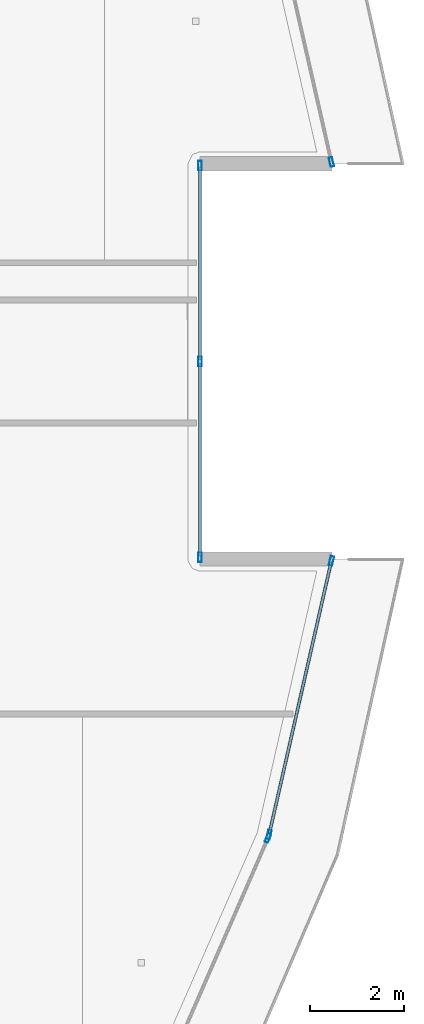
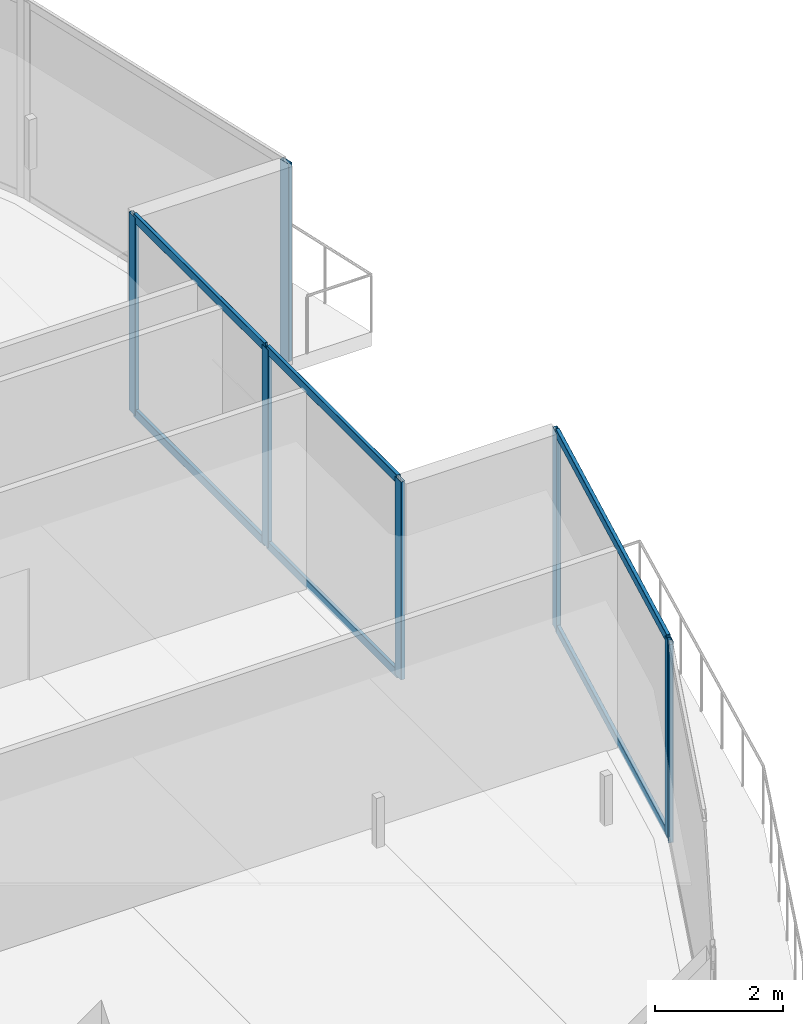
# One storey, part 14 of 36: 13 members, 4 elements without a shape of their own.
"""IFC4 building model written with IfcOpenShell, lengths in metres."""

from ifc_helpers import new_model, si_unit, direction, frame, origin, origin_2d, place, context, subcontext, project, spatial, hollow_rectangle, extrude, material, layer, layer_set, material_profile, profile_set, type_object, element, aggregate, save


model = new_model("IFC4")

# Units and contexts
model_context = context("Model", 3, precision=1e-05, world=origin(), true_north=direction((0.0, 1.0)))
body_context = subcontext(model_context, "Body", "Model", "MODEL_VIEW")
ifc_project = project(units=[si_unit("LENGTHUNIT", "METRE"), si_unit("AREAUNIT", "SQUARE_METRE"), si_unit("VOLUMEUNIT", "CUBIC_METRE"), si_unit("PLANEANGLEUNIT", "RADIAN"), si_unit("MASSUNIT", "GRAM", prefix="KILO")], contexts=[model_context])

# Site, building, storey
site_placement = place(None, origin())
site = spatial("IfcSite", under=ifc_project, at=site_placement, CompositionType="ELEMENT")
building_placement = place(site_placement, origin())
building = spatial("IfcBuilding", under=site, at=building_placement, Name="Qorvath Tower", CompositionType="ELEMENT")
storey_placement = place(building_placement, frame((0.0, 0.0, 229.35009765625)))
storey = spatial("IfcBuildingStorey", under=building, at=storey_placement, Name="L53", CompositionType="ELEMENT", Elevation=229.35009765625)

# Curtain wall, member
ifc_material_1 = material(Name="Anodised aluminium and triple low-E glass", Category="aluminium")
ifc_layer = layer(ifc_material_1, 0.179931640625)
ifc_layer_set = layer_set([ifc_layer], Name="CW-SYS-5")
curtain_wall_type = type_object("IfcCurtainWallType", Name="CW-SYS-5", PredefinedType="NOTDEFINED", material=ifc_layer_set)
curtain_wall_1_placement = place(storey_placement, origin())
curtain_wall_1 = element("IfcCurtainWall", 1, at=curtain_wall_1_placement, inside=storey, type_object=curtain_wall_type, Name="Curtain Wall CW-5 CW-T-L53-8.1", PredefinedType="NOTDEFINED")
ifc_material_2 = material(Name="Anodised aluminium 6063-T6", Category="aluminium")
ifc_material_profile_1 = material_profile(ifc_material_2, hollow_rectangle(XDim=0.074951171875, YDim=0.199951171875, WallThickness=0.00390625, InnerFilletRadius=0.00390625, OuterFilletRadius=0.008056640625, at=origin_2d()), Name="CWM 200x75")
ifc_profile_set_1 = profile_set([ifc_material_profile_1], Name="Anodised aluminium 6063-T6")
member_type_1 = type_object("IfcMemberType", Name="CWM-200", PredefinedType="MULLION", material=ifc_profile_set_1)
member_1_placement = place(storey_placement, frame((-0.641357421875, -10.112548828125, 0.0), z_axis=(0.0, 0.0, 1.0), x_axis=(-0.916784683156, 0.399381828243, 0.0)))
member_1 = element("IfcMember", 2, at=member_1_placement, type_object=member_type_1, Name="CW-5 mullion 2", PredefinedType="MULLION", context=body_context, shape_type="SweptSolid", body=[
    extrude(hollow_rectangle(XDim=0.074951171875, YDim=0.199951171875, WallThickness=0.00390625, InnerFilletRadius=0.00390625, OuterFilletRadius=0.008056640625, at=origin_2d()), origin(), (0.0, 0.0, 1.0), 3.77978515625),
])
aggregate(curtain_wall_1, [member_1])

# Curtain wall, members
curtain_wall_2_placement = place(storey_placement, origin())
curtain_wall_2 = element("IfcCurtainWall", 3, at=curtain_wall_2_placement, inside=storey, type_object=curtain_wall_type, Name="Curtain Wall CW-5 CW-T-L53-9.1", PredefinedType="NOTDEFINED")
member_2_placement = place(storey_placement, frame((-0.6181640625, -10.04150390625, 0.0), z_axis=(0.0, 0.0, 1.0), x_axis=(-0.97505349533, 0.221970000777, 0.0)))
member_2 = element("IfcMember", 4, at=member_2_placement, type_object=member_type_1, Name="CW-5 mullion 1", PredefinedType="MULLION", context=body_context, shape_type="SweptSolid", body=[
    extrude(hollow_rectangle(XDim=0.074951171875, YDim=0.199951171875, WallThickness=0.00390625, InnerFilletRadius=0.00390625, OuterFilletRadius=0.008056640625, at=origin_2d()), origin(), (0.0, 0.0, 1.0), 3.77978515625),
])
member_3_placement = place(storey_placement, frame((0.704345703125, -4.232421875, 0.0), z_axis=(0.0, 0.0, 1.0), x_axis=(-0.97505349533, 0.221970000777, 0.0)))
member_3 = element("IfcMember", 5, at=member_3_placement, type_object=member_type_1, Name="CW-5 mullion 2", PredefinedType="MULLION", context=body_context, shape_type="SweptSolid", body=[
    extrude(hollow_rectangle(XDim=0.074951171875, YDim=0.199951171875, WallThickness=0.00390625, InnerFilletRadius=0.00390625, OuterFilletRadius=0.008056640625, at=origin_2d()), origin(), (0.0, 0.0, 1.0), 3.77978515625),
])

curtain_wall_3_placement = place(storey_placement, origin())
curtain_wall_3 = element("IfcCurtainWall", 6, at=curtain_wall_3_placement, inside=storey, type_object=curtain_wall_type, Name="Curtain Wall CW-5 CW-T-L53-11.1", PredefinedType="NOTDEFINED")
member_4_placement = place(storey_placement, frame((-2.08447265625, -4.158203125, 0.0), z_axis=(0.0, 0.0, 1.0), x_axis=(-1.0, 0.0, 0.0)))
member_4 = element("IfcMember", 7, at=member_4_placement, type_object=member_type_1, Name="CW-5 mullion 1", PredefinedType="MULLION", context=body_context, shape_type="SweptSolid", body=[
    extrude(hollow_rectangle(XDim=0.074951171875, YDim=0.199951171875, WallThickness=0.00390625, InnerFilletRadius=0.00390625, OuterFilletRadius=0.008056640625, at=origin_2d()), origin(), (0.0, 0.0, 1.0), 3.77978515625),
])
member_5_placement = place(storey_placement, frame((-2.08447265625, 0.0, 0.0), z_axis=(0.0, 0.0, 1.0), x_axis=(-1.0, 0.0, 0.0)))
member_5 = element("IfcMember", 8, at=member_5_placement, type_object=member_type_1, Name="CW-5 mullion 2", PredefinedType="MULLION", context=body_context, shape_type="SweptSolid", body=[
    extrude(hollow_rectangle(XDim=0.074951171875, YDim=0.199951171875, WallThickness=0.00390625, InnerFilletRadius=0.00390625, OuterFilletRadius=0.008056640625, at=origin_2d()), origin(), (0.0, 0.0, 1.0), 3.77978515625),
])
member_6_placement = place(storey_placement, frame((-2.08447265625, 4.158203125, 0.0), z_axis=(0.0, 0.0, 1.0), x_axis=(-1.0, 0.0, 0.0)))
member_6 = element("IfcMember", 9, at=member_6_placement, type_object=member_type_1, Name="CW-5 mullion 3", PredefinedType="MULLION", context=body_context, shape_type="SweptSolid", body=[
    extrude(hollow_rectangle(XDim=0.074951171875, YDim=0.199951171875, WallThickness=0.00390625, InnerFilletRadius=0.00390625, OuterFilletRadius=0.008056640625, at=origin_2d()), origin(), (0.0, 0.0, 1.0), 3.77978515625),
])

# Curtain wall, member
curtain_wall_4_placement = place(storey_placement, origin())
curtain_wall_4 = element("IfcCurtainWall", 10, at=curtain_wall_4_placement, inside=storey, type_object=curtain_wall_type, Name="Curtain Wall CW-5 CW-T-L53-13.1", PredefinedType="NOTDEFINED")
member_7_placement = place(storey_placement, frame((0.704345703125, 4.232421875, 0.0), z_axis=(0.0, 0.0, 1.0), x_axis=(-0.97505349533, -0.221970000777, 0.0)))
member_7 = element("IfcMember", 11, at=member_7_placement, type_object=member_type_1, Name="CW-5 mullion 1", PredefinedType="MULLION", context=body_context, shape_type="SweptSolid", body=[
    extrude(hollow_rectangle(XDim=0.074951171875, YDim=0.199951171875, WallThickness=0.00390625, InnerFilletRadius=0.00390625, OuterFilletRadius=0.008056640625, at=origin_2d()), origin(), (0.0, 0.0, 1.0), 3.77978515625),
])
aggregate(curtain_wall_4, [member_7])

# Member
ifc_material_3 = material(Name="Anodised aluminium 6063-T6", Category="aluminium")
ifc_material_profile_2 = material_profile(ifc_material_3, hollow_rectangle(XDim=0.06494140625, YDim=0.159912109375, WallThickness=0.00341796875, InnerFilletRadius=0.00341796875, OuterFilletRadius=0.007080078125, at=origin_2d()), Name="CWT 160x65")
ifc_profile_set_2 = profile_set([ifc_material_profile_2], Name="Anodised aluminium 6063-T6")
member_type_2 = type_object("IfcMemberType", Name="CWT-160", PredefinedType="USERDEFINED", material=ifc_profile_set_2)
member_8_placement = place(storey_placement, frame((-0.60986328125, -10.0048828125, 0.032470703125), z_axis=(0.221994197684, 0.975047986611, 0.0), x_axis=(-0.975047986611, 0.221994197684, 0.0)))
member_8 = element("IfcMember", 12, at=member_8_placement, type_object=member_type_2, Name="CW-5 transom 1.1", ObjectType="TRANSOM", PredefinedType="USERDEFINED", context=body_context, shape_type="SweptSolid", body=[
    extrude(hollow_rectangle(XDim=0.06494140625, YDim=0.159912109375, WallThickness=0.00341796875, InnerFilletRadius=0.00341796875, OuterFilletRadius=0.007080078125, at=origin_2d()), origin(), (0.0, 0.0, 1.0), 5.882568359375),
])

member_9_placement = place(storey_placement, frame((-0.60986328125, -10.0048828125, 3.747314453125), z_axis=(0.221994197684, 0.975047986611, 0.0), x_axis=(-0.975047986611, 0.221994197684, 0.0)))
member_9 = element("IfcMember", 13, at=member_9_placement, type_object=member_type_2, Name="CW-5 transom 1.2", ObjectType="TRANSOM", PredefinedType="USERDEFINED", context=body_context, shape_type="SweptSolid", body=[
    extrude(hollow_rectangle(XDim=0.06494140625, YDim=0.159912109375, WallThickness=0.00341796875, InnerFilletRadius=0.00341796875, OuterFilletRadius=0.007080078125, at=origin_2d()), origin(), (0.0, 0.0, 1.0), 5.882568359375),
])

aggregate(curtain_wall_2, [member_2, member_3, member_8, member_9])

member_10_placement = place(storey_placement, frame((-2.08447265625, -4.120849609375, 0.032470703125), z_axis=(0.0, 1.0, 0.0), x_axis=(-1.0, 0.0, 0.0)))
member_10 = element("IfcMember", 14, at=member_10_placement, type_object=member_type_2, Name="CW-5 transom 1.1", ObjectType="TRANSOM", PredefinedType="USERDEFINED", context=body_context, shape_type="SweptSolid", body=[
    extrude(hollow_rectangle(XDim=0.06494140625, YDim=0.159912109375, WallThickness=0.00341796875, InnerFilletRadius=0.00341796875, OuterFilletRadius=0.007080078125, at=origin_2d()), origin(), (0.0, 0.0, 1.0), 4.083251953125),
])

member_11_placement = place(storey_placement, frame((-2.08447265625, -4.120849609375, 3.747314453125), z_axis=(0.0, 1.0, 0.0), x_axis=(-1.0, 0.0, 0.0)))
member_11 = element("IfcMember", 15, at=member_11_placement, type_object=member_type_2, Name="CW-5 transom 1.2", ObjectType="TRANSOM", PredefinedType="USERDEFINED", context=body_context, shape_type="SweptSolid", body=[
    extrude(hollow_rectangle(XDim=0.06494140625, YDim=0.159912109375, WallThickness=0.00341796875, InnerFilletRadius=0.00341796875, OuterFilletRadius=0.007080078125, at=origin_2d()), origin(), (0.0, 0.0, 1.0), 4.083251953125),
])

member_12_placement = place(storey_placement, frame((-2.08447265625, 0.03759765625, 0.032470703125), z_axis=(0.0, 1.0, 0.0), x_axis=(-1.0, 0.0, 0.0)))
member_12 = element("IfcMember", 16, at=member_12_placement, type_object=member_type_2, Name="CW-5 transom 2.1", ObjectType="TRANSOM", PredefinedType="USERDEFINED", context=body_context, shape_type="SweptSolid", body=[
    extrude(hollow_rectangle(XDim=0.06494140625, YDim=0.159912109375, WallThickness=0.00341796875, InnerFilletRadius=0.00341796875, OuterFilletRadius=0.007080078125, at=origin_2d()), origin(), (0.0, 0.0, 1.0), 4.083251953125),
])

member_13_placement = place(storey_placement, frame((-2.08447265625, 0.03759765625, 3.747314453125), z_axis=(0.0, 1.0, 0.0), x_axis=(-1.0, 0.0, 0.0)))
member_13 = element("IfcMember", 17, at=member_13_placement, type_object=member_type_2, Name="CW-5 transom 2.2", ObjectType="TRANSOM", PredefinedType="USERDEFINED", context=body_context, shape_type="SweptSolid", body=[
    extrude(hollow_rectangle(XDim=0.06494140625, YDim=0.159912109375, WallThickness=0.00341796875, InnerFilletRadius=0.00341796875, OuterFilletRadius=0.007080078125, at=origin_2d()), origin(), (0.0, 0.0, 1.0), 4.083251953125),
])

aggregate(curtain_wall_3, [member_4, member_5, member_6, member_10, member_11, member_12, member_13])

save(model, "model.ifc")
